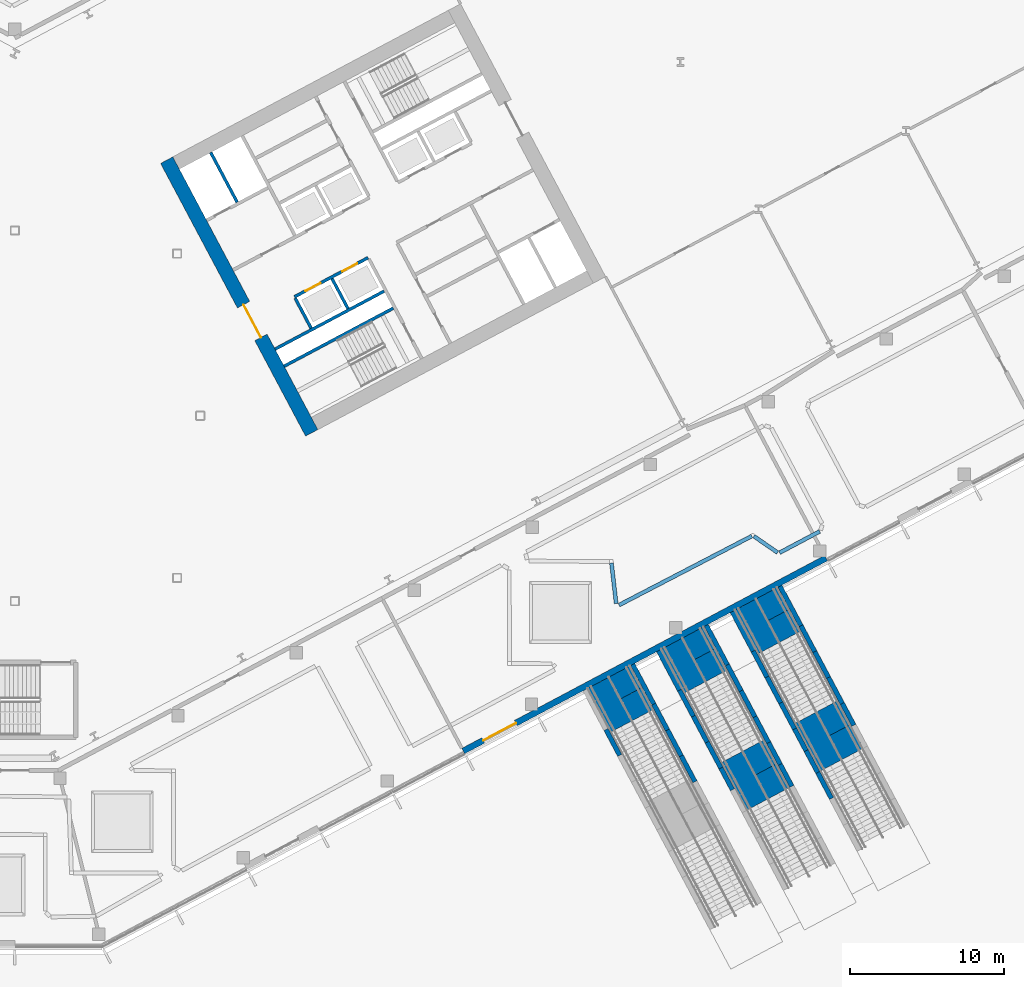
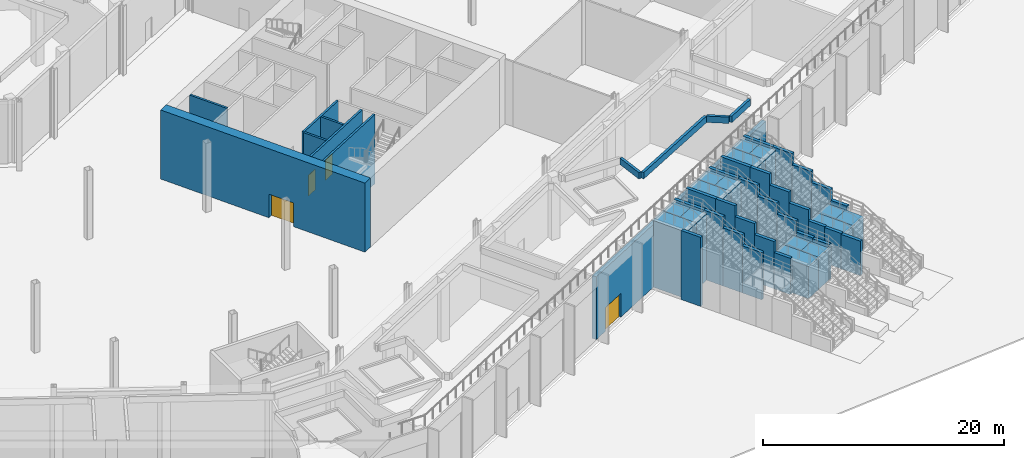
# One storey, part 19 of 57: 55 walls, 4 doors, 4 openings.
"""IFC4 building model written with IfcOpenShell, lengths in metres."""

from ifc_helpers import new_model, si_unit, direction, frame, frame_2d, origin, place, context, subcontext, project, spatial, rectangle, extrude, material, layer, layer_set, type_object, element, fill, save


model = new_model("IFC4")

# Units and contexts
model_context = context("Model", 3, precision=1e-05, world=origin(), true_north=direction((0.0, 1.0)))
body_context = subcontext(model_context, "Body", "Model", "MODEL_VIEW")
ifc_project = project(units=[si_unit("LENGTHUNIT", "METRE"), si_unit("AREAUNIT", "SQUARE_METRE"), si_unit("VOLUMEUNIT", "CUBIC_METRE"), si_unit("PLANEANGLEUNIT", "RADIAN"), si_unit("MASSUNIT", "GRAM", prefix="KILO")], contexts=[model_context])

# Site, building, storey
site_placement = place(None, origin())
site = spatial("IfcSite", under=ifc_project, at=site_placement, CompositionType="ELEMENT")
building_placement = place(site_placement, origin())
building = spatial("IfcBuilding", under=site, at=building_placement, Name="Cormorant Relay Tower", CompositionType="ELEMENT")
storey_placement = place(building_placement, origin())
storey = spatial("IfcBuildingStorey", under=building, at=storey_placement, Name="L00", CompositionType="ELEMENT", Elevation=0.0)

# Wall, opening, door
ifc_material_1 = material(Name="Concrete 40 MPa with granite cladding", Category="masonry")
ifc_layer_1 = layer(ifc_material_1, 0.39990234375)
ifc_layer_set_1 = layer_set([ifc_layer_1], Name="Base facade wall 400")
wall_type_1 = type_object("IfcWallType", Name="Base facade wall 400", PredefinedType="SOLIDWALL", material=ifc_layer_set_1)
wall_1_placement = place(storey_placement, frame((29.035400390625, -21.709716796875, 0.0), z_axis=(0.0, 0.0, 1.0), x_axis=(0.882950500829, 0.469466093648, 0.0)))
wall_1 = element("IfcWall", 1, at=wall_1_placement, inside=storey, type_object=wall_type_1, Name="Base facade wall", PredefinedType="SOLIDWALL", context=body_context, shape_type="SweptSolid", body=[
    extrude(rectangle(XDim=26.6025390625, YDim=0.39990234375, at=frame_2d((13.30126953125, 0.0))), origin(), (0.0, 0.0, 1.0), 6.3701171875),
])
opening_1_placement = place(wall_1_placement, frame((1.460205078125, 0.0, 0.0)))
opening_1 = element("IfcOpeningElement", 2, at=opening_1_placement, cuts=wall_1, Name="Opening PD6-002", PredefinedType="OPENING", context=body_context, shape_type="SweptSolid", body=[
    extrude(rectangle(XDim=2.39990234375, YDim=2.39990234375, at=frame_2d((1.199951171875, 1.199951171875))), frame((0.0, 0.2099609375, 0.0), z_axis=(0.0, -1.0, 0.0), x_axis=(1.0, 0.0, 0.0)), (0.0, 0.0, 1.0), 0.419921875),
])
ifc_material_2 = material(Name="Bronze framed glass door", Category="glass")
door_type_1 = type_object("IfcDoorType", Name="Door entrance double 2400", OperationType="DOUBLE_DOOR_SINGLE_SWING", PredefinedType="DOOR", material=ifc_material_2)
door_1_placement = place(opening_1_placement, frame((2.39990234375, 0.0, 0.0), z_axis=(0.0, 0.0, 1.0), x_axis=(-1.0, 0.0, 0.0)))
door_1 = element("IfcDoor", 3, at=door_1_placement, inside=storey, type_object=door_type_1, Name="Entrance door", OperationType="DOUBLE_DOOR_SINGLE_SWING", OverallHeight=2.39990234375, OverallWidth=2.39990234375, PredefinedType="DOOR", context=body_context, shape_type="SweptSolid", body=[
    extrude(rectangle(XDim=2.39990234375, YDim=2.39990234375, at=frame_2d((1.199951171875, 1.199951171875))), frame((0.0, 0.02490234375, 0.0), z_axis=(0.0, -1.0, 0.0), x_axis=(1.0, 0.0, 0.0)), (0.0, 0.0, 1.0), 0.050048828125),
])
fill(opening_1, door_1)

# Walls
ifc_material_3 = material(Name="Concrete 40 MPa", Category="concrete")
ifc_layer_2 = layer(ifc_material_3, 0.199951171875)
ifc_layer_set_2 = layer_set([ifc_layer_2], Name="Core internal wall 200")
wall_type_2 = type_object("IfcWallType", Name="Core internal wall 200", PredefinedType="SOLIDWALL", material=ifc_layer_set_2)
wall_2_placement = place(storey_placement, frame((21.567626953125, 6.9375, 0.0), z_axis=(0.0, 0.0, 1.0), x_axis=(-0.469533832133, 0.882914480843, 0.0)))
element("IfcWall", 4, at=wall_2_placement, inside=storey, type_object=wall_type_2, Name="L00 core B shaft and room wall", PredefinedType="SOLIDWALL", context=body_context, shape_type="SweptSolid", body=[
    extrude(rectangle(XDim=2.199951171875, YDim=0.199951171875, at=frame_2d((1.10009765625, 0.0))), origin(), (0.0, 0.0, 1.0), 7.0),
])
ifc_material_4 = material(Name="Concrete 50 MPa", Category="concrete")
ifc_layer_3 = layer(ifc_material_4, 0.199951171875)
ifc_layer_set_3 = layer_set([ifc_layer_3], Name="Core shaft wall 200")
wall_type_3 = type_object("IfcWallType", Name="Core shaft wall 200", PredefinedType="SHEAR", material=ifc_layer_set_3)
wall_3_placement = place(storey_placement, frame((14.39404296875, 13.825927734375, 0.0), z_axis=(0.0, 0.0, 1.0), x_axis=(-0.469494272526, 0.882935517501, 0.0)))
element("IfcWall", 5, at=wall_3_placement, inside=storey, type_object=wall_type_3, Name="L00 core B shaft wall", PredefinedType="SHEAR", context=body_context, shape_type="SweptSolid", body=[
    extrude(rectangle(XDim=3.64990234375, YDim=0.199951171875, at=frame_2d((1.824951171875, 0.0))), origin(), (0.0, 0.0, 1.0), 7.0),
])
wall_4_placement = place(storey_placement, frame((19.18359375, 5.669921875, 0.0), z_axis=(0.0, 0.0, 1.0), x_axis=(-0.4694473164, 0.882960484464, 0.0)))
element("IfcWall", 6, at=wall_4_placement, inside=storey, type_object=wall_type_3, Name="L00 core B shaft wall", PredefinedType="SHEAR", context=body_context, shape_type="SweptSolid", body=[
    extrude(rectangle(XDim=2.199951171875, YDim=0.199951171875, at=frame_2d((1.10009765625, 0.0))), origin(), (0.0, 0.0, 1.0), 7.0),
])
for number, where, z_axis, x_axis, name in (
    (7, (17.43359375, 3.210205078125, 0.0), (0.0, 0.0, 1.0), (0.882940221191, 0.469485426614, 0.0), "L00 core B shaft wall"),
    (8, (16.8466796875, 4.31396484375, 0.0), (0.0, 0.0, 1.0), (0.882940221191, 0.469485426614, 0.0), "L00 core B shaft wall"),
):
    element("IfcWall", number, at=place(storey_placement, frame(where, z_axis=z_axis, x_axis=x_axis)), inside=storey, type_object=wall_type_3, Name=name, PredefinedType="SHEAR", context=body_context, shape_type="SweptSolid", body=[
        extrude(rectangle(XDim=8.0, YDim=0.199951171875, at=frame_2d((4.0, 0.0))), origin(), (0.0, 0.0, 1.0), 7.0),
    ])

# Wall, openings, doors
wall_5_placement = place(storey_placement, frame((18.103759765625, 7.70068359375, 0.0), z_axis=(0.0, 0.0, 1.0), x_axis=(0.882952937579, 0.469461510692, 0.0)))
wall_5 = element("IfcWall", 9, at=wall_5_placement, inside=storey, type_object=wall_type_3, Name="L00 core B shaft wall", PredefinedType="SHEAR", context=body_context, shape_type="SweptSolid", body=[
    extrude(rectangle(XDim=5.400146484375, YDim=0.199951171875, at=frame_2d((2.7001953125, 0.0))), origin(), (0.0, 0.0, 1.0), 7.0),
])
opening_2_placement = place(wall_5_placement, frame((0.800048828125, 0.0, 0.0)))
opening_2 = element("IfcOpeningElement", 10, at=opening_2_placement, cuts=wall_5, Name="Opening LD1-008", PredefinedType="OPENING", context=body_context, shape_type="SweptSolid", body=[
    extrude(rectangle(XDim=1.10009765625, YDim=2.10009765625, at=frame_2d((0.550048828125, 1.050048828125))), frame((0.0, 0.10986328125, 0.0), z_axis=(0.0, -1.0, 0.0), x_axis=(1.0, 0.0, 0.0)), (0.0, 0.0, 1.0), 0.219970703125),
])
opening_3_placement = place(wall_5_placement, frame((3.5, 0.0, 0.0)))
opening_3 = element("IfcOpeningElement", 11, at=opening_3_placement, cuts=wall_5, Name="Opening LD1-009", PredefinedType="OPENING", context=body_context, shape_type="SweptSolid", body=[
    extrude(rectangle(XDim=1.10009765625, YDim=2.10009765625, at=frame_2d((0.550048828125, 1.050048828125))), frame((0.0, 0.10986328125, 0.0), z_axis=(0.0, -1.0, 0.0), x_axis=(1.0, 0.0, 0.0)), (0.0, 0.0, 1.0), 0.219970703125),
])
ifc_material_5 = material(Name="Stainless steel 316", Category="steel")
door_type_2 = type_object("IfcDoorType", Name="Lift landing door 1100x2100", OperationType="DOUBLE_DOOR_SLIDING", PredefinedType="DOOR", material=ifc_material_5)
door_2_placement = place(opening_2_placement, origin())
door_2 = element("IfcDoor", 12, at=door_2_placement, inside=storey, type_object=door_type_2, Name="LR5 landing door", OperationType="DOUBLE_DOOR_SLIDING", OverallHeight=2.10009765625, OverallWidth=1.10009765625, PredefinedType="DOOR", context=body_context, shape_type="SweptSolid", body=[
    extrude(rectangle(XDim=1.10009765625, YDim=2.10009765625, at=frame_2d((0.550048828125, 1.050048828125))), frame((0.0, 0.02490234375, 0.0), z_axis=(0.0, -1.0, 0.0), x_axis=(1.0, 0.0, 0.0)), (0.0, 0.0, 1.0), 0.050048828125),
])
fill(opening_2, door_2)
door_3_placement = place(opening_3_placement, origin())
door_3 = element("IfcDoor", 13, at=door_3_placement, inside=storey, type_object=door_type_2, Name="LR6 landing door", OperationType="DOUBLE_DOOR_SLIDING", OverallHeight=2.10009765625, OverallWidth=1.10009765625, PredefinedType="DOOR", context=body_context, shape_type="SweptSolid", body=[
    extrude(rectangle(XDim=1.10009765625, YDim=2.10009765625, at=frame_2d((0.550048828125, 1.050048828125))), frame((0.0, 0.02490234375, 0.0), z_axis=(0.0, -1.0, 0.0), x_axis=(1.0, 0.0, 0.0)), (0.0, 0.0, 1.0), 0.050048828125),
])
fill(opening_3, door_3)

# Wall, opening, door
ifc_material_6 = material(Name="Concrete 70 MPa", Category="concrete")
ifc_layer_4 = layer(ifc_material_6, 0.89990234375)
ifc_layer_set_4 = layer_set([ifc_layer_4], Name="Core wall 900")
wall_type_4 = type_object("IfcWallType", Name="Core wall 900", PredefinedType="SHEAR", material=ifc_layer_set_4)
wall_6_placement = place(storey_placement, frame((19.21923828125, -1.106689453125, 0.0), z_axis=(0.0, 0.0, 1.0), x_axis=(-0.46947084998, 0.882947971864, 0.0)))
wall_6 = element("IfcWall", 14, at=wall_6_placement, inside=storey, type_object=wall_type_4, Name="L00 core B wall", PredefinedType="SHEAR", context=body_context, shape_type="SweptSolid", body=[
    extrude(rectangle(XDim=20.0, YDim=0.89990234375, at=frame_2d((10.0, 0.0))), origin(), (0.0, 0.0, 1.0), 7.0),
])
opening_4_placement = place(wall_6_placement, frame((7.0, 0.0, 0.0)))
opening_4 = element("IfcOpeningElement", 15, at=opening_4_placement, cuts=wall_6, Name="Opening CDA-007", PredefinedType="OPENING", context=body_context, shape_type="SweptSolid", body=[
    extrude(rectangle(XDim=2.39990234375, YDim=2.39990234375, at=frame_2d((1.199951171875, 1.199951171875))), frame((0.0, 0.4599609375, 0.0), z_axis=(0.0, -1.0, 0.0), x_axis=(1.0, 0.0, 0.0)), (0.0, 0.0, 1.0), 0.919921875),
])
ifc_material_7 = material(Name="Steel fire door", Category="steel")
door_type_3 = type_object("IfcDoorType", Name="Core lobby door 2400x2400", OperationType="DOUBLE_DOOR_SINGLE_SWING", PredefinedType="DOOR", material=ifc_material_7)
door_4_placement = place(opening_4_placement, frame((2.39990234375, 0.0, 0.0), z_axis=(0.0, 0.0, 1.0), x_axis=(-1.0, 0.0, 0.0)))
door_4 = element("IfcDoor", 16, at=door_4_placement, inside=storey, type_object=door_type_3, Name="Core lobby door 2400x2400", OperationType="DOUBLE_DOOR_SINGLE_SWING", OverallHeight=2.39990234375, OverallWidth=2.39990234375, PredefinedType="DOOR", context=body_context, shape_type="SweptSolid", body=[
    extrude(rectangle(XDim=2.39990234375, YDim=2.39990234375, at=frame_2d((1.199951171875, 1.199951171875))), frame((0.0, 0.02490234375, 0.0), z_axis=(0.0, -1.0, 0.0), x_axis=(1.0, 0.0, 0.0)), (0.0, 0.0, 1.0), 0.050048828125),
])
fill(opening_4, door_4)

# Walls
ifc_material_8 = material(Name="Concrete 40 MPa", Category="concrete")
ifc_layer_5 = layer(ifc_material_8, 0.25)
ifc_layer_set_5 = layer_set([ifc_layer_5], Name="Planter kerb 250")
wall_type_5 = type_object("IfcWallType", Name="Planter kerb 250", PredefinedType="STANDARD", material=ifc_layer_set_5)
wall_7_placement = place(storey_placement, frame((52.10791015625, -7.48828125, 7.0), z_axis=(0.0, 0.0, 1.0), x_axis=(-0.882932555062, -0.469499843675, 0.0)))
element("IfcWall", 17, at=wall_7_placement, inside=storey, type_object=wall_type_5, Name="PLANTER 05 kerb", PredefinedType="STANDARD", context=body_context, shape_type="SweptSolid", body=[
    extrude(rectangle(XDim=2.934814453125, YDim=0.25, at=frame_2d((1.46728515625, 0.0))), origin(), (0.0, 0.0, 1.0), 0.64990234375),
])
wall_8_placement = place(storey_placement, frame((49.38720703125, -8.858642578125, 7.0), z_axis=(0.0, 0.0, 1.0), x_axis=(-0.823317911424, 0.567580493612, 0.0)))
element("IfcWall", 18, at=wall_8_placement, inside=storey, type_object=wall_type_5, Name="PLANTER 05 kerb", PredefinedType="STANDARD", context=body_context, shape_type="SweptSolid", body=[
    extrude(rectangle(XDim=1.87109375, YDim=0.25, at=frame_2d((0.935546875, 0.0))), origin(), (0.0, 0.0, 1.0), 0.64990234375),
])
wall_9_placement = place(storey_placement, frame((47.71826171875, -7.788818359375, 7.0), z_axis=(0.0, 0.0, 1.0), x_axis=(-0.887347881886, -0.461100570931, 0.0)))
element("IfcWall", 19, at=wall_9_placement, inside=storey, type_object=wall_type_5, Name="PLANTER 05 kerb", PredefinedType="STANDARD", context=body_context, shape_type="SweptSolid", body=[
    extrude(rectangle(XDim=9.694580078125, YDim=0.25, at=frame_2d((4.84716796875, 0.0))), origin(), (0.0, 0.0, 1.0), 0.64990234375),
])
wall_10_placement = place(storey_placement, frame((38.933837890625, -12.16259765625, 7.0), z_axis=(0.0, 0.0, 1.0), x_axis=(-0.114859475591, 0.993381749816, 0.0)))
element("IfcWall", 20, at=wall_10_placement, inside=storey, type_object=wall_type_5, Name="PLANTER 05 kerb", PredefinedType="STANDARD", context=body_context, shape_type="SweptSolid", body=[
    extrude(rectangle(XDim=2.637939453125, YDim=0.25, at=frame_2d((1.31884765625, 0.0))), origin(), (0.0, 0.0, 1.0), 0.64990234375),
])
ifc_material_9 = material(Name="Concrete 40 MPa with granite cladding", Category="masonry")
ifc_layer_6 = layer(ifc_material_9, 0.300048828125)
ifc_layer_set_6 = layer_set([ifc_layer_6], Name="Stair cheek wall 300")
wall_type_6 = type_object("IfcWallType", Name="Stair cheek wall 300", PredefinedType="SOLIDWALL", material=ifc_layer_set_6)
wall_11_placement = place(storey_placement, frame((38.27099609375, -20.31005859375, 0.0), z_axis=(0.0, 0.0, 1.0), x_axis=(0.4694808567, -0.882942651134, 0.0)))
element("IfcWall", 21, at=wall_11_placement, inside=storey, type_object=wall_type_6, Name="Stair cheek wall", PredefinedType="SOLIDWALL", context=body_context, shape_type="SweptSolid", body=[
    extrude(rectangle(XDim=1.900146484375, YDim=0.300048828125, at=frame_2d((0.9501953125, 0.0))), origin(), (0.0, 0.0, 1.0), 7.0),
])
wall_12_placement = place(storey_placement, frame((40.0, -16.1064453125, 0.0), z_axis=(0.0, 0.0, 1.0), x_axis=(0.469434248776, -0.882967432059, 0.0)))
element("IfcWall", 22, at=wall_12_placement, inside=storey, type_object=wall_type_6, Name="Stair cheek wall", PredefinedType="SOLIDWALL", context=body_context, shape_type="SweptSolid", body=[
    extrude(rectangle(XDim=2.89990234375, YDim=0.300048828125, at=frame_2d((1.449951171875, 0.0))), origin(), (0.0, 0.0, 1.0), 7.0),
])
wall_13_placement = place(storey_placement, frame((41.361328125, -18.6669921875, 0.0), z_axis=(0.0, 0.0, 1.0), x_axis=(0.469534121713, -0.882914326844, 0.0)))
element("IfcWall", 23, at=wall_13_placement, inside=storey, type_object=wall_type_6, Name="Stair cheek wall", PredefinedType="SOLIDWALL", context=body_context, shape_type="SweptSolid", body=[
    extrude(rectangle(XDim=1.89990234375, YDim=0.300048828125, at=frame_2d((0.949951171875, 0.0))), origin(), (0.0, 0.0, 1.0), 7.0),
])
wall_14_placement = place(storey_placement, frame((42.25341796875, -20.344482421875, 0.0), z_axis=(0.0, 0.0, 1.0), x_axis=(0.4694808567, -0.882942651134, 0.0)))
element("IfcWall", 24, at=wall_14_placement, inside=storey, type_object=wall_type_6, Name="Stair cheek wall", PredefinedType="SOLIDWALL", context=body_context, shape_type="SweptSolid", body=[
    extrude(rectangle(XDim=1.900146484375, YDim=0.300048828125, at=frame_2d((0.9501953125, 0.0))), origin(), (0.0, 0.0, 1.0), 5.89208984375),
])
wall_15_placement = place(storey_placement, frame((43.1455078125, -22.022216796875, 0.0), z_axis=(0.0, 0.0, 1.0), x_axis=(0.469433943093, -0.882967594577, 0.0)))
element("IfcWall", 25, at=wall_15_placement, inside=storey, type_object=wall_type_6, Name="Stair cheek wall", PredefinedType="SOLIDWALL", context=body_context, shape_type="SweptSolid", body=[
    extrude(rectangle(XDim=1.89990234375, YDim=0.300048828125, at=frame_2d((0.949951171875, 0.0))), origin(), (0.0, 0.0, 1.0), 4.782958984375),
])
wall_16_placement = place(storey_placement, frame((41.677490234375, -15.214599609375, 0.0), z_axis=(0.0, 0.0, 1.0), x_axis=(0.469534780786, -0.882913976349, 0.0)))
element("IfcWall", 26, at=wall_16_placement, inside=storey, type_object=wall_type_6, Name="Stair cheek wall", PredefinedType="SOLIDWALL", context=body_context, shape_type="SweptSolid", body=[
    extrude(rectangle(XDim=2.89990234375, YDim=0.300048828125, at=frame_2d((1.449951171875, 0.0))), origin(), (0.0, 0.0, 1.0), 7.0),
])
wall_17_placement = place(storey_placement, frame((43.0390625, -17.77490234375, 0.0), z_axis=(0.0, 0.0, 1.0), x_axis=(0.469380683019, -0.882995908489, 0.0)))
element("IfcWall", 27, at=wall_17_placement, inside=storey, type_object=wall_type_6, Name="Stair cheek wall", PredefinedType="SOLIDWALL", context=body_context, shape_type="SweptSolid", body=[
    extrude(rectangle(XDim=1.900146484375, YDim=0.300048828125, at=frame_2d((0.9501953125, 0.0))), origin(), (0.0, 0.0, 1.0), 7.0),
])
wall_18_placement = place(storey_placement, frame((43.930908203125, -19.45263671875, 0.0), z_axis=(0.0, 0.0, 1.0), x_axis=(0.469534121713, -0.882914326844, 0.0)))
element("IfcWall", 28, at=wall_18_placement, inside=storey, type_object=wall_type_6, Name="Stair cheek wall", PredefinedType="SOLIDWALL", context=body_context, shape_type="SweptSolid", body=[
    extrude(rectangle(XDim=1.89990234375, YDim=0.300048828125, at=frame_2d((0.949951171875, 0.0))), origin(), (0.0, 0.0, 1.0), 5.89208984375),
])
wall_19_placement = place(storey_placement, frame((44.822998046875, -21.130126953125, 0.0), z_axis=(0.0, 0.0, 1.0), x_axis=(0.4694808567, -0.882942651134, 0.0)))
element("IfcWall", 29, at=wall_19_placement, inside=storey, type_object=wall_type_6, Name="Stair cheek wall", PredefinedType="SOLIDWALL", context=body_context, shape_type="SweptSolid", body=[
    extrude(rectangle(XDim=1.900146484375, YDim=0.300048828125, at=frame_2d((0.9501953125, 0.0))), origin(), (0.0, 0.0, 1.0), 4.782958984375),
])
wall_20_placement = place(storey_placement, frame((45.715087890625, -22.807861328125, 0.0), z_axis=(0.0, 0.0, 1.0), x_axis=(0.469534519898, -0.882914115089, 0.0)))
element("IfcWall", 30, at=wall_20_placement, inside=storey, type_object=wall_type_6, Name="Stair cheek wall", PredefinedType="SOLIDWALL", context=body_context, shape_type="SweptSolid", body=[
    extrude(rectangle(XDim=1.599853515625, YDim=0.300048828125, at=frame_2d((0.7998046875, 0.0))), origin(), (0.0, 0.0, 1.0), 3.675048828125),
])
wall_21_placement = place(storey_placement, frame((44.767822265625, -13.5712890625, 0.0), z_axis=(0.0, 0.0, 1.0), x_axis=(0.469499880774, -0.882932535335, 0.0)))
element("IfcWall", 31, at=wall_21_placement, inside=storey, type_object=wall_type_6, Name="Stair cheek wall", PredefinedType="SOLIDWALL", context=body_context, shape_type="SweptSolid", body=[
    extrude(rectangle(XDim=2.900146484375, YDim=0.300048828125, at=frame_2d((1.4501953125, 0.0))), origin(), (0.0, 0.0, 1.0), 7.0),
])
wall_22_placement = place(storey_placement, frame((46.12939453125, -16.1318359375, 0.0), z_axis=(0.0, 0.0, 1.0), x_axis=(0.469534121713, -0.882914326844, 0.0)))
element("IfcWall", 32, at=wall_22_placement, inside=storey, type_object=wall_type_6, Name="Stair cheek wall", PredefinedType="SOLIDWALL", context=body_context, shape_type="SweptSolid", body=[
    extrude(rectangle(XDim=1.89990234375, YDim=0.300048828125, at=frame_2d((0.949951171875, 0.0))), origin(), (0.0, 0.0, 1.0), 7.0),
])
wall_23_placement = place(storey_placement, frame((47.021484375, -17.809326171875, 0.0), z_axis=(0.0, 0.0, 1.0), x_axis=(0.469380683019, -0.882995908489, 0.0)))
element("IfcWall", 33, at=wall_23_placement, inside=storey, type_object=wall_type_6, Name="Stair cheek wall", PredefinedType="SOLIDWALL", context=body_context, shape_type="SweptSolid", body=[
    extrude(rectangle(XDim=1.900146484375, YDim=0.300048828125, at=frame_2d((0.9501953125, 0.0))), origin(), (0.0, 0.0, 1.0), 5.89208984375),
])
wall_24_placement = place(storey_placement, frame((47.913330078125, -19.487060546875, 0.0), z_axis=(0.0, 0.0, 1.0), x_axis=(0.469534121713, -0.882914326844, 0.0)))
element("IfcWall", 34, at=wall_24_placement, inside=storey, type_object=wall_type_6, Name="Stair cheek wall", PredefinedType="SOLIDWALL", context=body_context, shape_type="SweptSolid", body=[
    extrude(rectangle(XDim=1.89990234375, YDim=0.300048828125, at=frame_2d((0.949951171875, 0.0))), origin(), (0.0, 0.0, 1.0), 4.782958984375),
])
wall_25_placement = place(storey_placement, frame((48.805419921875, -21.16455078125, 0.0), z_axis=(0.0, 0.0, 1.0), x_axis=(0.469352308434, -0.883010991193, 0.0)))
element("IfcWall", 35, at=wall_25_placement, inside=storey, type_object=wall_type_6, Name="Stair cheek wall", PredefinedType="SOLIDWALL", context=body_context, shape_type="SweptSolid", body=[
    extrude(rectangle(XDim=1.60009765625, YDim=0.300048828125, at=frame_2d((0.800048828125, 0.0))), origin(), (0.0, 0.0, 1.0), 3.675048828125),
])
wall_26_placement = place(storey_placement, frame((49.556396484375, -22.577392578125, 0.0), z_axis=(0.0, 0.0, 1.0), x_axis=(0.469534519898, -0.882914115089, 0.0)))
element("IfcWall", 36, at=wall_26_placement, inside=storey, type_object=wall_type_6, Name="Stair cheek wall", PredefinedType="SOLIDWALL", context=body_context, shape_type="SweptSolid", body=[
    extrude(rectangle(XDim=1.599853515625, YDim=0.300048828125, at=frame_2d((0.7998046875, 0.0))), origin(), (0.0, 0.0, 1.0), 3.5869140625),
])
wall_27_placement = place(storey_placement, frame((46.445556640625, -12.67919921875, 0.0), z_axis=(0.0, 0.0, 1.0), x_axis=(0.469399355339, -0.882985982452, 0.0)))
element("IfcWall", 37, at=wall_27_placement, inside=storey, type_object=wall_type_6, Name="Stair cheek wall", PredefinedType="SOLIDWALL", context=body_context, shape_type="SweptSolid", body=[
    extrude(rectangle(XDim=2.900146484375, YDim=0.300048828125, at=frame_2d((1.4501953125, 0.0))), origin(), (0.0, 0.0, 1.0), 7.0),
])
wall_28_placement = place(storey_placement, frame((47.806884765625, -15.239990234375, 0.0), z_axis=(0.0, 0.0, 1.0), x_axis=(0.469534121713, -0.882914326844, 0.0)))
element("IfcWall", 38, at=wall_28_placement, inside=storey, type_object=wall_type_6, Name="Stair cheek wall", PredefinedType="SOLIDWALL", context=body_context, shape_type="SweptSolid", body=[
    extrude(rectangle(XDim=1.89990234375, YDim=0.300048828125, at=frame_2d((0.949951171875, 0.0))), origin(), (0.0, 0.0, 1.0), 7.0),
])
wall_29_placement = place(storey_placement, frame((48.698974609375, -16.91748046875, 0.0), z_axis=(0.0, 0.0, 1.0), x_axis=(0.4694808567, -0.882942651134, 0.0)))
element("IfcWall", 39, at=wall_29_placement, inside=storey, type_object=wall_type_6, Name="Stair cheek wall", PredefinedType="SOLIDWALL", context=body_context, shape_type="SweptSolid", body=[
    extrude(rectangle(XDim=1.900146484375, YDim=0.300048828125, at=frame_2d((0.9501953125, 0.0))), origin(), (0.0, 0.0, 1.0), 5.89208984375),
])
wall_30_placement = place(storey_placement, frame((49.591064453125, -18.59521484375, 0.0), z_axis=(0.0, 0.0, 1.0), x_axis=(0.469433943093, -0.882967594577, 0.0)))
element("IfcWall", 40, at=wall_30_placement, inside=storey, type_object=wall_type_6, Name="Stair cheek wall", PredefinedType="SOLIDWALL", context=body_context, shape_type="SweptSolid", body=[
    extrude(rectangle(XDim=1.89990234375, YDim=0.300048828125, at=frame_2d((0.949951171875, 0.0))), origin(), (0.0, 0.0, 1.0), 4.782958984375),
])
wall_31_placement = place(storey_placement, frame((50.48291015625, -20.272705078125, 0.0), z_axis=(0.0, 0.0, 1.0), x_axis=(0.469534519898, -0.882914115089, 0.0)))
element("IfcWall", 41, at=wall_31_placement, inside=storey, type_object=wall_type_6, Name="Stair cheek wall", PredefinedType="SOLIDWALL", context=body_context, shape_type="SweptSolid", body=[
    extrude(rectangle(XDim=1.599853515625, YDim=0.300048828125, at=frame_2d((0.7998046875, 0.0))), origin(), (0.0, 0.0, 1.0), 3.675048828125),
])
wall_32_placement = place(storey_placement, frame((51.234130859375, -21.685302734375, 0.0), z_axis=(0.0, 0.0, 1.0), x_axis=(0.469471267677, -0.882947749771, 0.0)))
element("IfcWall", 42, at=wall_32_placement, inside=storey, type_object=wall_type_6, Name="Stair cheek wall", PredefinedType="SOLIDWALL", context=body_context, shape_type="SweptSolid", body=[
    extrude(rectangle(XDim=1.60009765625, YDim=0.300048828125, at=frame_2d((0.800048828125, 0.0))), origin(), (0.0, 0.0, 1.0), 3.5869140625),
])
wall_33_placement = place(storey_placement, frame((51.9853515625, -23.09814453125, 0.0), z_axis=(0.0, 0.0, 1.0), x_axis=(0.469433943093, -0.882967594577, 0.0)))
element("IfcWall", 43, at=wall_33_placement, inside=storey, type_object=wall_type_6, Name="Stair cheek wall", PredefinedType="SOLIDWALL", context=body_context, shape_type="SweptSolid", body=[
    extrude(rectangle(XDim=1.89990234375, YDim=0.300048828125, at=frame_2d((0.949951171875, 0.0))), origin(), (0.0, 0.0, 1.0), 3.5),
])
wall_34_placement = place(storey_placement, frame((49.535888671875, -11.0361328125, 0.0), z_axis=(0.0, 0.0, 1.0), x_axis=(0.469434248776, -0.882967432059, 0.0)))
element("IfcWall", 44, at=wall_34_placement, inside=storey, type_object=wall_type_6, Name="Stair cheek wall", PredefinedType="SOLIDWALL", context=body_context, shape_type="SweptSolid", body=[
    extrude(rectangle(XDim=2.89990234375, YDim=0.300048828125, at=frame_2d((1.449951171875, 0.0))), origin(), (0.0, 0.0, 1.0), 7.0),
])
wall_35_placement = place(storey_placement, frame((50.897216796875, -13.5966796875, 0.0), z_axis=(0.0, 0.0, 1.0), x_axis=(0.4694808567, -0.882942651134, 0.0)))
element("IfcWall", 45, at=wall_35_placement, inside=storey, type_object=wall_type_6, Name="Stair cheek wall", PredefinedType="SOLIDWALL", context=body_context, shape_type="SweptSolid", body=[
    extrude(rectangle(XDim=1.900146484375, YDim=0.300048828125, at=frame_2d((0.9501953125, 0.0))), origin(), (0.0, 0.0, 1.0), 7.0),
])
wall_36_placement = place(storey_placement, frame((51.789306640625, -15.2744140625, 0.0), z_axis=(0.0, 0.0, 1.0), x_axis=(0.469534121713, -0.882914326844, 0.0)))
element("IfcWall", 46, at=wall_36_placement, inside=storey, type_object=wall_type_6, Name="Stair cheek wall", PredefinedType="SOLIDWALL", context=body_context, shape_type="SweptSolid", body=[
    extrude(rectangle(XDim=1.89990234375, YDim=0.300048828125, at=frame_2d((0.949951171875, 0.0))), origin(), (0.0, 0.0, 1.0), 5.89208984375),
])
wall_37_placement = place(storey_placement, frame((52.681396484375, -16.951904296875, 0.0), z_axis=(0.0, 0.0, 1.0), x_axis=(0.469433943093, -0.882967594577, 0.0)))
element("IfcWall", 47, at=wall_37_placement, inside=storey, type_object=wall_type_6, Name="Stair cheek wall", PredefinedType="SOLIDWALL", context=body_context, shape_type="SweptSolid", body=[
    extrude(rectangle(XDim=1.89990234375, YDim=0.300048828125, at=frame_2d((0.949951171875, 0.0))), origin(), (0.0, 0.0, 1.0), 4.782958984375),
])
wall_38_placement = place(storey_placement, frame((53.5732421875, -18.62939453125, 0.0), z_axis=(0.0, 0.0, 1.0), x_axis=(0.469471267677, -0.882947749771, 0.0)))
element("IfcWall", 48, at=wall_38_placement, inside=storey, type_object=wall_type_6, Name="Stair cheek wall", PredefinedType="SOLIDWALL", context=body_context, shape_type="SweptSolid", body=[
    extrude(rectangle(XDim=1.60009765625, YDim=0.300048828125, at=frame_2d((0.800048828125, 0.0))), origin(), (0.0, 0.0, 1.0), 3.675048828125),
])
ifc_material_10 = material(Name="Concrete 40 MPa", Category="concrete")
ifc_layer_7 = layer(ifc_material_10, 1.60009765625)
ifc_layer_set_7 = layer_set([ifc_layer_7], Name="Stair plinth 1600")
wall_type_7 = type_object("IfcWallType", Name="Stair plinth 1600", PredefinedType="SOLIDWALL", material=ifc_layer_set_7)
wall_39_placement = place(storey_placement, frame((37.74853515625, -17.3037109375, 0.0), z_axis=(0.0, 0.0, 1.0), x_axis=(0.46947503999, -0.882945743988, 0.0)))
element("IfcWall", 49, at=wall_39_placement, inside=storey, type_object=wall_type_7, Name="Street stair 1A head landing plinth", PredefinedType="SOLIDWALL", context=body_context, shape_type="SweptSolid", body=[
    extrude(rectangle(XDim=3.19970703125, YDim=1.60009765625, at=frame_2d((1.599853515625, 0.0))), origin(), (0.0, 0.0, 1.0), 6.75),
])
wall_40_placement = place(storey_placement, frame((39.1611328125, -16.552490234375, 0.0), z_axis=(0.0, 0.0, 1.0), x_axis=(0.469534519898, -0.882914115089, 0.0)))
element("IfcWall", 50, at=wall_40_placement, inside=storey, type_object=wall_type_7, Name="Street stair 1A head landing plinth", PredefinedType="SOLIDWALL", context=body_context, shape_type="SweptSolid", body=[
    extrude(rectangle(XDim=1.599853515625, YDim=1.60009765625, at=frame_2d((0.7998046875, 0.0))), origin(), (0.0, 0.0, 1.0), 6.75),
])
wall_41_placement = place(storey_placement, frame((39.912353515625, -17.965087890625, 0.0), z_axis=(0.0, 0.0, 1.0), x_axis=(0.469471267677, -0.882947749771, 0.0)))
element("IfcWall", 51, at=wall_41_placement, inside=storey, type_object=wall_type_7, Name="Street stair 1A head landing plinth", PredefinedType="SOLIDWALL", context=body_context, shape_type="SweptSolid", body=[
    extrude(rectangle(XDim=1.60009765625, YDim=1.60009765625, at=frame_2d((0.800048828125, 0.0))), origin(), (0.0, 0.0, 1.0), 6.75),
])
wall_42_placement = place(storey_placement, frame((46.4130859375, -22.096923828125, 0.0), z_axis=(0.0, 0.0, 1.0), x_axis=(0.469451007504, -0.882958521989, 0.0)))
element("IfcWall", 52, at=wall_42_placement, inside=storey, type_object=wall_type_7, Name="Street stair 1B landing plinth", PredefinedType="SOLIDWALL", context=body_context, shape_type="SweptSolid", body=[
    extrude(rectangle(XDim=3.5, YDim=1.60009765625, at=frame_2d((1.75, 0.0))), origin(), (0.0, 0.0, 1.0), 3.25),
])
for number, where, z_axis, x_axis, name in (
    (53, (47.82568359375, -21.345703125, 0.0), (0.0, 0.0, 1.0), (0.469451007504, -0.882958521989, 0.0), "Street stair 1B landing plinth"),
    (54, (48.647216796875, -22.890869140625, 0.0), (0.0, 0.0, 1.0), (0.46955976098, -0.882900691397, 0.0), "Street stair 1B landing plinth"),
):
    element("IfcWall", number, at=place(storey_placement, frame(where, z_axis=z_axis, x_axis=x_axis)), inside=storey, type_object=wall_type_7, Name=name, PredefinedType="SOLIDWALL", context=body_context, shape_type="SweptSolid", body=[
        extrude(rectangle(XDim=1.75, YDim=1.60009765625, at=frame_2d((0.875, 0.0))), origin(), (0.0, 0.0, 1.0), 3.25),
    ])
wall_43_placement = place(storey_placement, frame((42.516357421875, -14.7685546875, 0.0), z_axis=(0.0, 0.0, 1.0), x_axis=(0.469502891958, -0.88293093413, 0.0)))
element("IfcWall", 55, at=wall_43_placement, inside=storey, type_object=wall_type_7, Name="Street stair 1B head landing plinth", PredefinedType="SOLIDWALL", context=body_context, shape_type="SweptSolid", body=[
    extrude(rectangle(XDim=3.199951171875, YDim=1.60009765625, at=frame_2d((1.60009765625, 0.0))), origin(), (0.0, 0.0, 1.0), 6.75),
])
wall_44_placement = place(storey_placement, frame((43.92919921875, -14.017333984375, 0.0), z_axis=(0.0, 0.0, 1.0), x_axis=(0.469415553689, -0.882977371145, 0.0)))
element("IfcWall", 56, at=wall_44_placement, inside=storey, type_object=wall_type_7, Name="Street stair 1B head landing plinth", PredefinedType="SOLIDWALL", context=body_context, shape_type="SweptSolid", body=[
    extrude(rectangle(XDim=1.599853515625, YDim=1.60009765625, at=frame_2d((0.7998046875, 0.0))), origin(), (0.0, 0.0, 1.0), 6.75),
])
wall_45_placement = place(storey_placement, frame((44.68017578125, -15.429931640625, 0.0), z_axis=(0.0, 0.0, 1.0), x_axis=(0.469471267677, -0.882947749771, 0.0)))
element("IfcWall", 57, at=wall_45_placement, inside=storey, type_object=wall_type_7, Name="Street stair 1B head landing plinth", PredefinedType="SOLIDWALL", context=body_context, shape_type="SweptSolid", body=[
    extrude(rectangle(XDim=1.60009765625, YDim=1.60009765625, at=frame_2d((0.800048828125, 0.0))), origin(), (0.0, 0.0, 1.0), 6.75),
])
wall_46_placement = place(storey_placement, frame((51.180908203125, -19.561767578125, 0.0), z_axis=(0.0, 0.0, 1.0), x_axis=(0.469505386913, -0.88292960742, 0.0)))
element("IfcWall", 58, at=wall_46_placement, inside=storey, type_object=wall_type_7, Name="Street stair 1C landing plinth", PredefinedType="SOLIDWALL", context=body_context, shape_type="SweptSolid", body=[
    extrude(rectangle(XDim=3.5, YDim=1.60009765625, at=frame_2d((1.75, 0.0))), origin(), (0.0, 0.0, 1.0), 3.25),
])
for number, where, z_axis, x_axis, name in (
    (59, (52.593505859375, -18.810546875, 0.0), (0.0, 0.0, 1.0), (0.46955976098, -0.882900691397, 0.0), "Street stair 1C landing plinth"),
    (60, (53.415283203125, -20.355712890625, 0.0), (0.0, 0.0, 1.0), (0.469451007504, -0.882958521989, 0.0), "Street stair 1C landing plinth"),
):
    element("IfcWall", number, at=place(storey_placement, frame(where, z_axis=z_axis, x_axis=x_axis)), inside=storey, type_object=wall_type_7, Name=name, PredefinedType="SOLIDWALL", context=body_context, shape_type="SweptSolid", body=[
        extrude(rectangle(XDim=1.75, YDim=1.60009765625, at=frame_2d((0.875, 0.0))), origin(), (0.0, 0.0, 1.0), 3.25),
    ])
wall_47_placement = place(storey_placement, frame((47.2841796875, -12.2333984375, 0.0), z_axis=(0.0, 0.0, 1.0), x_axis=(0.469534519898, -0.882914115089, 0.0)))
element("IfcWall", 61, at=wall_47_placement, inside=storey, type_object=wall_type_7, Name="Street stair 1C head landing plinth", PredefinedType="SOLIDWALL", context=body_context, shape_type="SweptSolid", body=[
    extrude(rectangle(XDim=3.199951171875, YDim=1.60009765625, at=frame_2d((1.60009765625, 0.0))), origin(), (0.0, 0.0, 1.0), 6.75),
])
wall_48_placement = place(storey_placement, frame((48.697021484375, -11.482177734375, 0.0), z_axis=(0.0, 0.0, 1.0), x_axis=(0.469471267677, -0.882947749771, 0.0)))
element("IfcWall", 62, at=wall_48_placement, inside=storey, type_object=wall_type_7, Name="Street stair 1C head landing plinth", PredefinedType="SOLIDWALL", context=body_context, shape_type="SweptSolid", body=[
    extrude(rectangle(XDim=1.60009765625, YDim=1.60009765625, at=frame_2d((0.800048828125, 0.0))), origin(), (0.0, 0.0, 1.0), 6.75),
])
wall_49_placement = place(storey_placement, frame((49.4482421875, -12.89501953125, 0.0), z_axis=(0.0, 0.0, 1.0), x_axis=(0.469415553689, -0.882977371145, 0.0)))
element("IfcWall", 63, at=wall_49_placement, inside=storey, type_object=wall_type_7, Name="Street stair 1C head landing plinth", PredefinedType="SOLIDWALL", context=body_context, shape_type="SweptSolid", body=[
    extrude(rectangle(XDim=1.599853515625, YDim=1.60009765625, at=frame_2d((0.7998046875, 0.0))), origin(), (0.0, 0.0, 1.0), 6.75),
])

save(model, "model.ifc")
